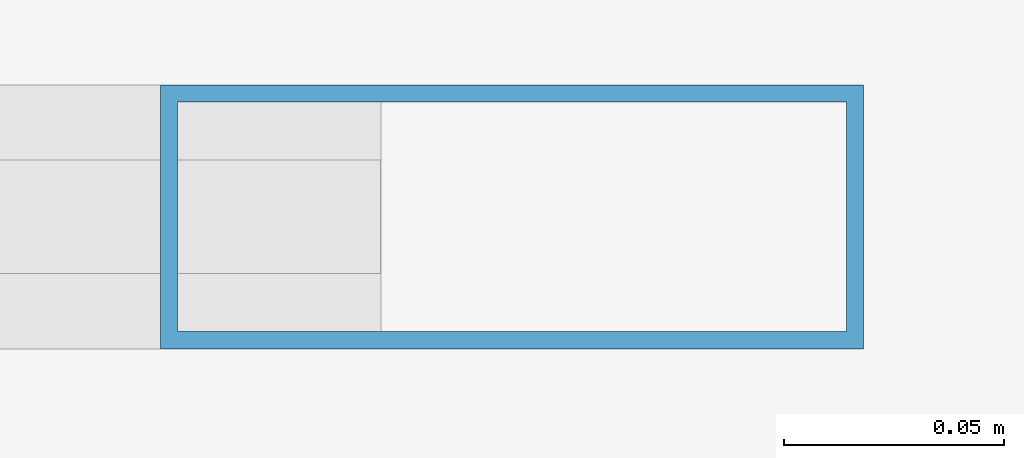
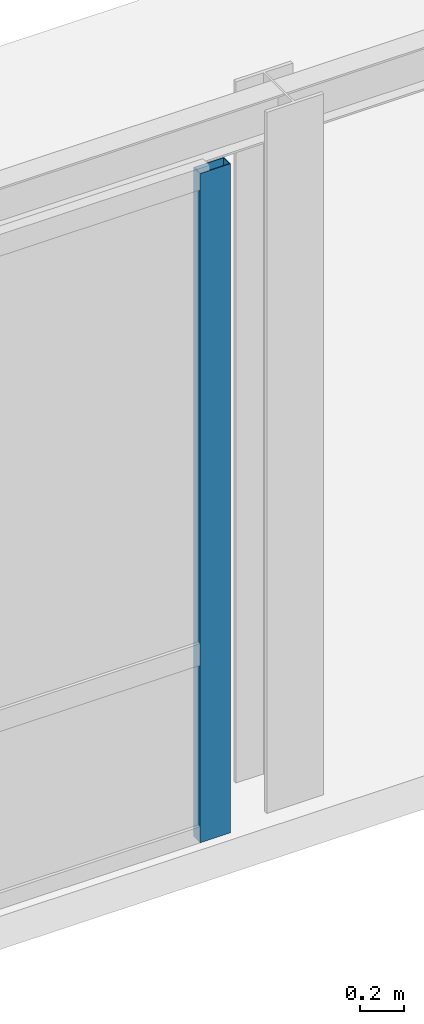
# One storey, part 99 of 165: 1 member, 1 element without a shape of its own.
"""IFC4 building model written with IfcOpenShell, lengths in metres."""

from ifc_helpers import new_model, si_unit, direction, frame, origin, origin_2d, place, context, subcontext, project, spatial, hollow_rectangle, extrude, material, layer, layer_set, material_profile, profile_set, type_object, element, aggregate, save


model = new_model("IFC4")

# Units and contexts
model_context = context("Model", 3, precision=1e-05, world=origin(), true_north=direction((0.0, 1.0)))
body_context = subcontext(model_context, "Body", "Model", "MODEL_VIEW")
ifc_project = project(units=[si_unit("LENGTHUNIT", "METRE"), si_unit("AREAUNIT", "SQUARE_METRE"), si_unit("VOLUMEUNIT", "CUBIC_METRE"), si_unit("PLANEANGLEUNIT", "RADIAN"), si_unit("MASSUNIT", "GRAM", prefix="KILO")], contexts=[model_context])

# Site, building, storey
site_placement = place(None, origin())
site = spatial("IfcSite", under=ifc_project, at=site_placement, CompositionType="ELEMENT")
building_placement = place(site_placement, origin())
building = spatial("IfcBuilding", under=site, at=building_placement, Name="Montecoro Central Library", CompositionType="ELEMENT")
storey_placement = place(building_placement, frame((0.0, 0.0, 5.10009765625)))
storey = spatial("IfcBuildingStorey", under=building, at=storey_placement, Name="L01", CompositionType="ELEMENT", Elevation=5.10009765625)

# Curtain wall, member
ifc_material_1 = material(Name="Bronze-anodised aluminium and low-E glazing", Category="aluminium")
ifc_layer = layer(ifc_material_1, 0.159912109375)
ifc_layer_set = layer_set([ifc_layer], Name="Bronze-anodised aluminium and low-E glazing")
curtain_wall_type = type_object("IfcCurtainWallType", Name="CWT-088", PredefinedType="NOTDEFINED", material=ifc_layer_set)
curtain_wall_placement = place(storey_placement, origin())
curtain_wall = element("IfcCurtainWall", 1, at=curtain_wall_placement, inside=storey, type_object=curtain_wall_type, Name="BR-SE-L01-CW-S2", PredefinedType="NOTDEFINED")
ifc_material_2 = material(Name="Bronze-anodised aluminium", Category="aluminium")
ifc_material_profile = material_profile(ifc_material_2, hollow_rectangle(XDim=0.06005859375, YDim=0.159912109375, WallThickness=0.00390625, at=origin_2d()), Name="CWM 160x60x4.0")
ifc_profile_set = profile_set([ifc_material_profile], Name="Bronze-anodised aluminium")
member_type = type_object("IfcMemberType", Name="CWM-BRZ-60", PredefinedType="MULLION", material=ifc_profile_set)
member_placement = place(storey_placement, frame((132.64990234375, 32.47998046875, 0.0), z_axis=(0.0, 0.0, 1.0), x_axis=(0.0, 1.0, 0.0)))
member = element("IfcMember", 2, at=member_placement, type_object=member_type, Name="CW-088 mullion 4", PredefinedType="MULLION", context=body_context, shape_type="SweptSolid", body=[
    extrude(hollow_rectangle(XDim=0.06005859375, YDim=0.159912109375, WallThickness=0.00390625, at=origin_2d()), origin(), (0.0, 0.0, 1.0), 3.72998046875),
])
aggregate(curtain_wall, [member])

save(model, "model.ifc")
